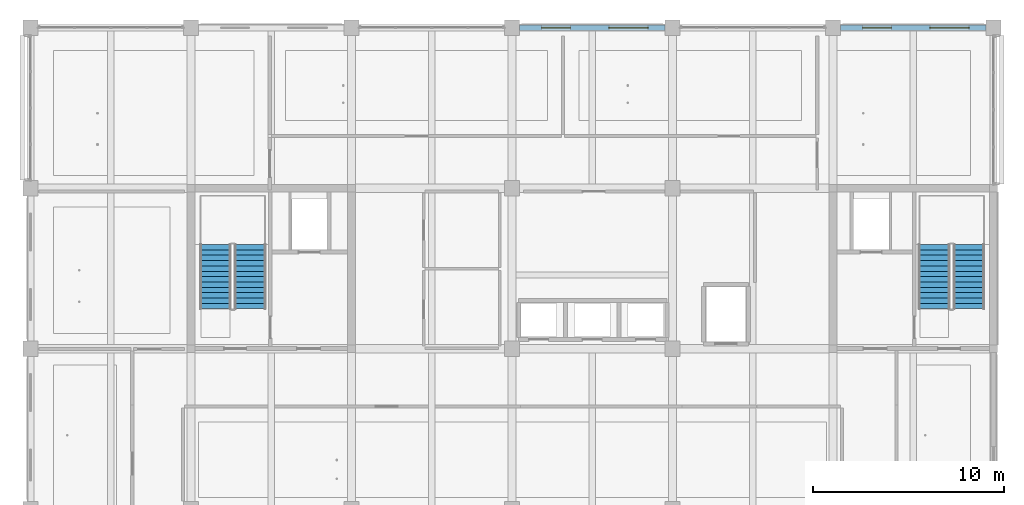
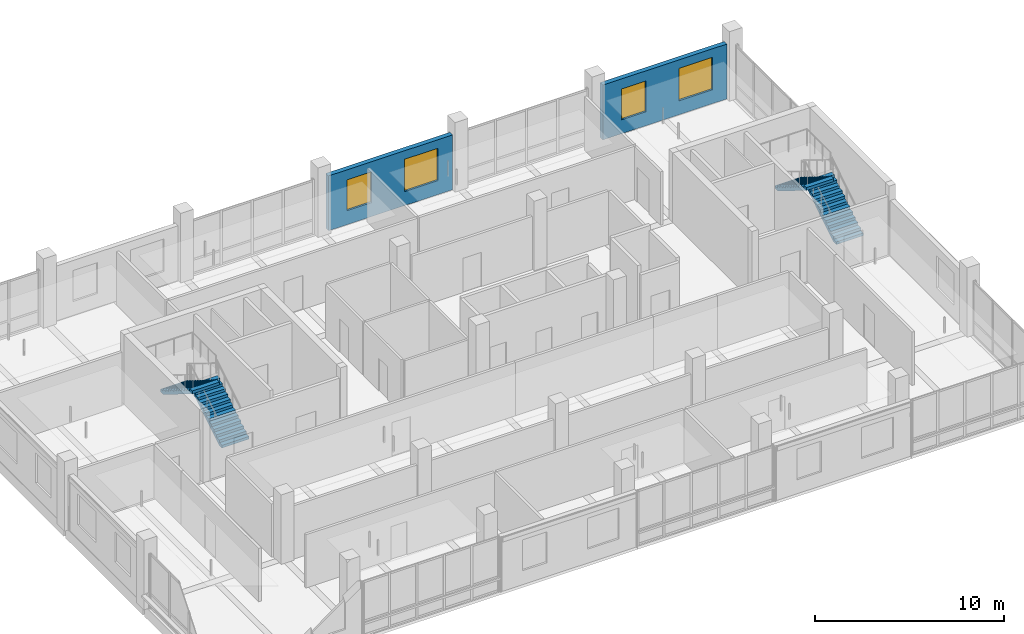
# One storey, part 14 of 34: 4 stair flights, 4 windows, 2 walls, 4 openings, 2 elements without a shape of their own.
"""IFC4 building model written with IfcOpenShell, lengths in metres."""

from ifc_helpers import new_model, si_unit, direction, frame, frame_2d, origin, place, context, subcontext, project, spatial, polyline, rectangle, outline, extrude, material, layer, layer_set, type_object, element, fill, aggregate, save


model = new_model("IFC4")

# Units and contexts
model_context = context("Model", 3, precision=1e-05, world=origin(), true_north=direction((0.0, 1.0)))
body_context = subcontext(model_context, "Body", "Model", "MODEL_VIEW")
ifc_project = project(units=[si_unit("LENGTHUNIT", "METRE"), si_unit("AREAUNIT", "SQUARE_METRE"), si_unit("VOLUMEUNIT", "CUBIC_METRE"), si_unit("PLANEANGLEUNIT", "RADIAN"), si_unit("MASSUNIT", "GRAM", prefix="KILO")], contexts=[model_context])

# Site, building, storey
site_placement = place(None, origin())
site = spatial("IfcSite", under=ifc_project, at=site_placement, CompositionType="ELEMENT")
building_placement = place(site_placement, origin())
building = spatial("IfcBuilding", under=site, at=building_placement, Name="Telukmera Botanical Conservatory", CompositionType="ELEMENT")
storey_placement = place(building_placement, frame((0.0, 0.0, 37.5)))
storey = spatial("IfcBuildingStorey", under=building, at=storey_placement, Name="L08", CompositionType="ELEMENT", Elevation=37.5)

# Wall, openings, windows
ifc_material_1 = material(Name="Precast concrete C40/50", Category="concrete")
ifc_layer = layer(ifc_material_1, 0.280029296875)
ifc_layer_set = layer_set([ifc_layer], Name="Precast concrete C40/50")
wall_type = type_object("IfcWallType", Name="Exterior Laboratory Modular Precast Wall 280", PredefinedType="ELEMENTEDWALL", material=ifc_layer_set)
wall_1_placement = place(storey_placement, frame((76.001953125, 42.800048828125, 0.0), z_axis=(0.0, 0.0, 1.0), x_axis=(1.0, 0.0, 0.0)))
wall_1 = element("IfcWall", 1, at=wall_1_placement, inside=storey, type_object=wall_type, Name="Exterior Precast Wall EW06 V4:L08:N4", PredefinedType="ELEMENTEDWALL", context=body_context, shape_type="SweptSolid", body=[
    extrude(rectangle(XDim=7.595947265625, YDim=0.280029296875, at=frame_2d((3.7978515625, 0.0))), origin(), (0.0, 0.0, 1.0), 3.550048828125),
])
opening_1_placement = place(wall_1_placement, frame((1.14892578125, 0.0, 0.89990234375)))
opening_1 = element("IfcOpeningElement", 2, at=opening_1_placement, cuts=wall_1, Name="Opening W06", PredefinedType="OPENING", context=body_context, shape_type="SweptSolid", body=[
    extrude(rectangle(XDim=1.5, YDim=2.0, at=frame_2d((0.75, 1.0))), frame((0.0, 0.14990234375, 0.0), z_axis=(0.0, -1.0, 0.0), x_axis=(1.0, 0.0, 0.0)), (0.0, 0.0, 1.0), 0.300048828125),
])
opening_2_placement = place(wall_1_placement, frame((4.672119140625, 0.0, 0.89990234375)))
opening_2 = element("IfcOpeningElement", 3, at=opening_2_placement, cuts=wall_1, Name="Opening W14", PredefinedType="OPENING", context=body_context, shape_type="SweptSolid", body=[
    extrude(rectangle(XDim=2.050048828125, YDim=2.10009765625, at=frame_2d((1.02490234375, 1.050048828125))), frame((0.0, 0.14990234375, 0.0), z_axis=(0.0, -1.0, 0.0), x_axis=(1.0, 0.0, 0.0)), (0.0, 0.0, 1.0), 0.300048828125),
])
ifc_material_2 = material(Name="Thermally broken anodised aluminium frame with low-E double glazing", Category="aluminium")
window_type_1 = type_object("IfcWindowType", Name="Double Vertical Laboratory Viewing Window 1500x2000", PartitioningType="DOUBLE_PANEL_VERTICAL", PredefinedType="WINDOW", material=ifc_material_2)
window_1_placement = place(opening_1_placement, origin())
window_1 = element("IfcWindow", 4, at=window_1_placement, inside=storey, type_object=window_type_1, Name="Facade Window W06 V4:L08:N4 1", OverallHeight=2.0, OverallWidth=1.5, PartitioningType="DOUBLE_PANEL_VERTICAL", PredefinedType="WINDOW", context=body_context, shape_type="SweptSolid", body=[
    extrude(rectangle(XDim=1.5, YDim=2.0, at=frame_2d((0.75, 1.0))), frame((0.0, 0.030029296875, 0.0), z_axis=(0.0, -1.0, 0.0), x_axis=(1.0, 0.0, 0.0)), (0.0, 0.0, 1.0), 0.06005859375),
])
fill(opening_1, window_1)
window_type_2 = type_object("IfcWindowType", Name="Triple Vertical Microscopy Lab Window 2050x2100", PartitioningType="TRIPLE_PANEL_VERTICAL", PredefinedType="WINDOW", material=ifc_material_2)
window_2_placement = place(opening_2_placement, origin())
window_2 = element("IfcWindow", 5, at=window_2_placement, inside=storey, type_object=window_type_2, Name="Facade Window W14 V4:L08:N4 2", OverallHeight=2.10009765625, OverallWidth=2.050048828125, PartitioningType="TRIPLE_PANEL_VERTICAL", PredefinedType="WINDOW", context=body_context, shape_type="SweptSolid", body=[
    extrude(rectangle(XDim=2.050048828125, YDim=2.10009765625, at=frame_2d((1.02490234375, 1.050048828125))), frame((0.0, 0.030029296875, 0.0), z_axis=(0.0, -1.0, 0.0), x_axis=(1.0, 0.0, 0.0)), (0.0, 0.0, 1.0), 0.06005859375),
])
fill(opening_2, window_2)

wall_2_placement = place(storey_placement, frame((92.802001953125, 42.800048828125, 0.0), z_axis=(0.0, 0.0, 1.0), x_axis=(1.0, 0.0, 0.0)))
wall_2 = element("IfcWall", 6, at=wall_2_placement, inside=storey, type_object=wall_type, Name="Exterior Precast Wall EW06 V4:L08:N6", PredefinedType="ELEMENTEDWALL", context=body_context, shape_type="SweptSolid", body=[
    extrude(rectangle(XDim=7.595947265625, YDim=0.280029296875, at=frame_2d((3.7978515625, 0.0))), origin(), (0.0, 0.0, 1.0), 3.550048828125),
])
opening_3_placement = place(wall_2_placement, frame((1.14892578125, 0.0, 0.89990234375)))
opening_3 = element("IfcOpeningElement", 7, at=opening_3_placement, cuts=wall_2, Name="Opening W06", PredefinedType="OPENING", context=body_context, shape_type="SweptSolid", body=[
    extrude(rectangle(XDim=1.5, YDim=2.0, at=frame_2d((0.75, 1.0))), frame((0.0, 0.14990234375, 0.0), z_axis=(0.0, -1.0, 0.0), x_axis=(1.0, 0.0, 0.0)), (0.0, 0.0, 1.0), 0.300048828125),
])
opening_4_placement = place(wall_2_placement, frame((4.672119140625, 0.0, 0.89990234375)))
opening_4 = element("IfcOpeningElement", 8, at=opening_4_placement, cuts=wall_2, Name="Opening W14", PredefinedType="OPENING", context=body_context, shape_type="SweptSolid", body=[
    extrude(rectangle(XDim=2.050048828125, YDim=2.10009765625, at=frame_2d((1.02490234375, 1.050048828125))), frame((0.0, 0.14990234375, 0.0), z_axis=(0.0, -1.0, 0.0), x_axis=(1.0, 0.0, 0.0)), (0.0, 0.0, 1.0), 0.300048828125),
])
window_3_placement = place(opening_3_placement, origin())
window_3 = element("IfcWindow", 9, at=window_3_placement, inside=storey, type_object=window_type_1, Name="Facade Window W06 V4:L08:N6 1", OverallHeight=2.0, OverallWidth=1.5, PartitioningType="DOUBLE_PANEL_VERTICAL", PredefinedType="WINDOW", context=body_context, shape_type="SweptSolid", body=[
    extrude(rectangle(XDim=1.5, YDim=2.0, at=frame_2d((0.75, 1.0))), frame((0.0, 0.030029296875, 0.0), z_axis=(0.0, -1.0, 0.0), x_axis=(1.0, 0.0, 0.0)), (0.0, 0.0, 1.0), 0.06005859375),
])
fill(opening_3, window_3)
window_4_placement = place(opening_4_placement, origin())
window_4 = element("IfcWindow", 10, at=window_4_placement, inside=storey, type_object=window_type_2, Name="Facade Window W14 V4:L08:N6 2", OverallHeight=2.10009765625, OverallWidth=2.050048828125, PartitioningType="TRIPLE_PANEL_VERTICAL", PredefinedType="WINDOW", context=body_context, shape_type="SweptSolid", body=[
    extrude(rectangle(XDim=2.050048828125, YDim=2.10009765625, at=frame_2d((1.02490234375, 1.050048828125))), frame((0.0, 0.030029296875, 0.0), z_axis=(0.0, -1.0, 0.0), x_axis=(1.0, 0.0, 0.0)), (0.0, 0.0, 1.0), 0.06005859375),
])
fill(opening_4, window_4)

# Stair, stair flights
ifc_material_3 = material(Name="Concrete C40/50", Category="concrete")
stair_type = type_object("IfcStairType", Name="ST-ESC-4500", PredefinedType="HALF_TURN_STAIR", material=ifc_material_3)
stair_1_placement = place(storey_placement, origin())
stair_1 = element("IfcStair", 11, at=stair_1_placement, inside=storey, type_object=stair_type, Name="L08 Protected Escape Stair ST1", PredefinedType="HALF_TURN_STAIR")
stair_flight_type = type_object("IfcStairFlightType", Name="SF-ESC-4500", PredefinedType="STRAIGHT", material=ifc_material_3)
stair_flight_1_placement = place(storey_placement, frame((61.89990234375, 28.090087890625, 0.0), z_axis=(0.0, 0.0, 1.0), x_axis=(0.0, 1.0, 0.0)))
stair_flight_1 = element("IfcStairFlight", 12, at=stair_flight_1_placement, type_object=stair_flight_type, Name="ST1 flight 1", NumberOfRisers=13, NumberOfTreads=12, PredefinedType="STRAIGHT", RiserHeight=0.173076923, TreadLength=0.28, context=body_context, shape_type="SweptSolid", body=[
    extrude(outline(polyline([(0.0, 0.0), (0.0, 0.173095703125), (0.280029296875, 0.173095703125), (0.280029296875, 0.34619140625), (0.56005859375, 0.34619140625), (0.56005859375, 0.519287109375), (0.840087890625, 0.519287109375), (0.840087890625, 0.6923828125), (1.1201171875, 0.6923828125), (1.1201171875, 0.865478515625), (1.39990234375, 0.865478515625), (1.39990234375, 1.03857421875), (1.679931640625, 1.03857421875), (1.679931640625, 1.21142578125), (1.9599609375, 1.21142578125), (1.9599609375, 1.384521484375), (2.239990234375, 1.384521484375), (2.239990234375, 1.5576171875), (2.52001953125, 1.5576171875), (2.52001953125, 1.730712890625), (2.800048828125, 1.730712890625), (2.800048828125, 1.90380859375), (3.080078125, 1.90380859375), (3.080078125, 2.076904296875), (3.360107421875, 2.076904296875), (3.360107421875, 2.25), (3.360107421875, 1.888916015625), (0.30419921875, 0.0), (0.0, 0.0)])), frame((0.0, 0.830078125, 0.0), z_axis=(0.0, -1.0, 0.0), x_axis=(1.0, 0.0, 0.0)), (0.0, 0.0, 1.0), 1.659912109375),
])
stair_flight_2_placement = place(storey_placement, frame((60.080078125, 31.449951171875, 2.25), z_axis=(0.0, 0.0, 1.0), x_axis=(0.0, -1.0, 0.0)))
stair_flight_2 = element("IfcStairFlight", 13, at=stair_flight_2_placement, type_object=stair_flight_type, Name="ST1 flight 2", NumberOfRisers=13, NumberOfTreads=12, PredefinedType="STRAIGHT", RiserHeight=0.173076923, TreadLength=0.28, context=body_context, shape_type="SweptSolid", body=[
    extrude(outline(polyline([(0.0, 0.0), (0.0, 0.173095703125), (0.280029296875, 0.173095703125), (0.280029296875, 0.34619140625), (0.56005859375, 0.34619140625), (0.56005859375, 0.519287109375), (0.840087890625, 0.519287109375), (0.840087890625, 0.6923828125), (1.1201171875, 0.6923828125), (1.1201171875, 0.865478515625), (1.39990234375, 0.865478515625), (1.39990234375, 1.03857421875), (1.679931640625, 1.03857421875), (1.679931640625, 1.21142578125), (1.9599609375, 1.21142578125), (1.9599609375, 1.384521484375), (2.239990234375, 1.384521484375), (2.239990234375, 1.5576171875), (2.52001953125, 1.5576171875), (2.52001953125, 1.730712890625), (2.800048828125, 1.730712890625), (2.800048828125, 1.90380859375), (3.080078125, 1.90380859375), (3.080078125, 2.076904296875), (3.360107421875, 2.076904296875), (3.360107421875, 2.25), (3.360107421875, 1.888916015625), (0.30419921875, 0.0), (0.0, 0.0)])), frame((0.0, 0.830078125, 0.0), z_axis=(0.0, -1.0, 0.0), x_axis=(1.0, 0.0, 0.0)), (0.0, 0.0, 1.0), 1.659912109375),
])
aggregate(stair_1, [stair_flight_1, stair_flight_2])

stair_2_placement = place(storey_placement, origin())
stair_2 = element("IfcStair", 14, at=stair_2_placement, inside=storey, type_object=stair_type, Name="L08 Protected Escape Stair ST2", PredefinedType="HALF_TURN_STAIR")
stair_flight_3_placement = place(storey_placement, frame((99.52001953125, 28.090087890625, 0.0), z_axis=(0.0, 0.0, 1.0), x_axis=(0.0, 1.0, 0.0)))
stair_flight_3 = element("IfcStairFlight", 15, at=stair_flight_3_placement, type_object=stair_flight_type, Name="ST2 flight 1", NumberOfRisers=13, NumberOfTreads=12, PredefinedType="STRAIGHT", RiserHeight=0.173076923, TreadLength=0.28, context=body_context, shape_type="SweptSolid", body=[
    extrude(outline(polyline([(0.0, 0.0), (0.0, 0.173095703125), (0.280029296875, 0.173095703125), (0.280029296875, 0.34619140625), (0.56005859375, 0.34619140625), (0.56005859375, 0.519287109375), (0.840087890625, 0.519287109375), (0.840087890625, 0.6923828125), (1.1201171875, 0.6923828125), (1.1201171875, 0.865478515625), (1.39990234375, 0.865478515625), (1.39990234375, 1.03857421875), (1.679931640625, 1.03857421875), (1.679931640625, 1.21142578125), (1.9599609375, 1.21142578125), (1.9599609375, 1.384521484375), (2.239990234375, 1.384521484375), (2.239990234375, 1.5576171875), (2.52001953125, 1.5576171875), (2.52001953125, 1.730712890625), (2.800048828125, 1.730712890625), (2.800048828125, 1.90380859375), (3.080078125, 1.90380859375), (3.080078125, 2.076904296875), (3.360107421875, 2.076904296875), (3.360107421875, 2.25), (3.360107421875, 1.888916015625), (0.30419921875, 0.0), (0.0, 0.0)])), frame((0.0, 0.830078125, 0.0), z_axis=(0.0, -1.0, 0.0), x_axis=(1.0, 0.0, 0.0)), (0.0, 0.0, 1.0), 1.659912109375),
])
stair_flight_4_placement = place(storey_placement, frame((97.699951171875, 31.449951171875, 2.25), z_axis=(0.0, 0.0, 1.0), x_axis=(0.0, -1.0, 0.0)))
stair_flight_4 = element("IfcStairFlight", 16, at=stair_flight_4_placement, type_object=stair_flight_type, Name="ST2 flight 2", NumberOfRisers=13, NumberOfTreads=12, PredefinedType="STRAIGHT", RiserHeight=0.173076923, TreadLength=0.28, context=body_context, shape_type="SweptSolid", body=[
    extrude(outline(polyline([(0.0, 0.0), (0.0, 0.173095703125), (0.280029296875, 0.173095703125), (0.280029296875, 0.34619140625), (0.56005859375, 0.34619140625), (0.56005859375, 0.519287109375), (0.840087890625, 0.519287109375), (0.840087890625, 0.6923828125), (1.1201171875, 0.6923828125), (1.1201171875, 0.865478515625), (1.39990234375, 0.865478515625), (1.39990234375, 1.03857421875), (1.679931640625, 1.03857421875), (1.679931640625, 1.21142578125), (1.9599609375, 1.21142578125), (1.9599609375, 1.384521484375), (2.239990234375, 1.384521484375), (2.239990234375, 1.5576171875), (2.52001953125, 1.5576171875), (2.52001953125, 1.730712890625), (2.800048828125, 1.730712890625), (2.800048828125, 1.90380859375), (3.080078125, 1.90380859375), (3.080078125, 2.076904296875), (3.360107421875, 2.076904296875), (3.360107421875, 2.25), (3.360107421875, 1.888916015625), (0.30419921875, 0.0), (0.0, 0.0)])), frame((0.0, 0.830078125, 0.0), z_axis=(0.0, -1.0, 0.0), x_axis=(1.0, 0.0, 0.0)), (0.0, 0.0, 1.0), 1.659912109375),
])
aggregate(stair_2, [stair_flight_3, stair_flight_4])

save(model, "model.ifc")
